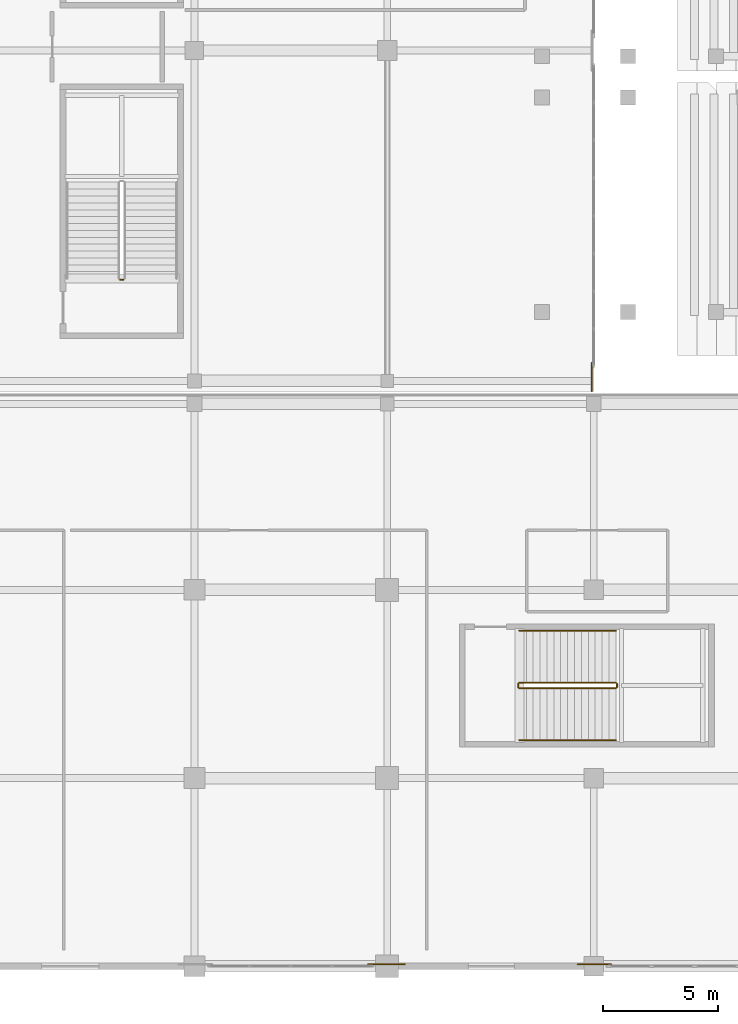
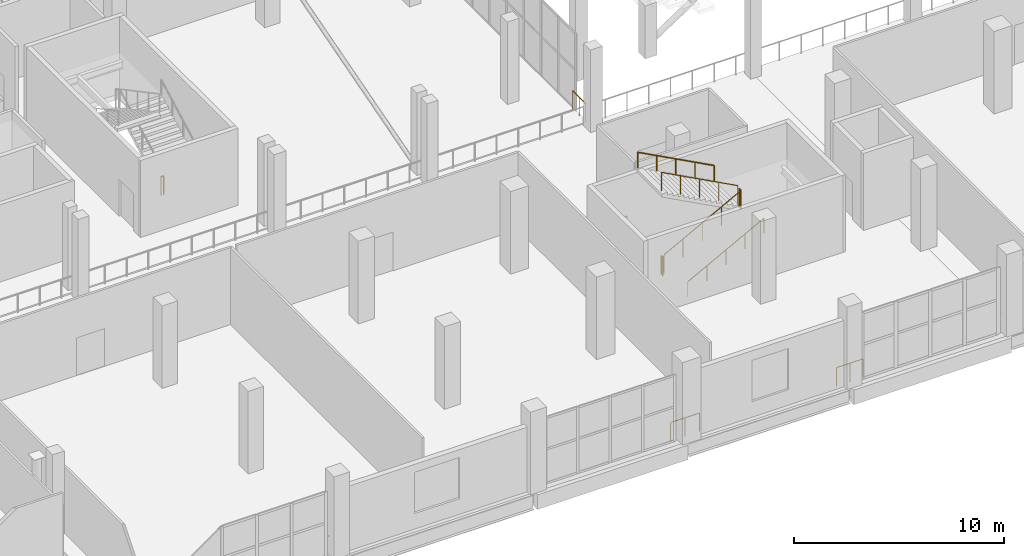
# One storey, part 112 of 142: 10 railings.
"""IFC4 building model written with IfcOpenShell, lengths in metres."""

from ifc_helpers import new_model, si_unit, direction, frame, origin, origin_2d, place, context, subcontext, project, spatial, circle, extrude, material, type_object, element, save


model = new_model("IFC4")

# Units and contexts
model_context = context("Model", 3, precision=1e-05, world=origin(), true_north=direction((0.0, 1.0)))
body_context = subcontext(model_context, "Body", "Model", "MODEL_VIEW")
ifc_project = project(units=[si_unit("LENGTHUNIT", "METRE"), si_unit("AREAUNIT", "SQUARE_METRE"), si_unit("VOLUMEUNIT", "CUBIC_METRE"), si_unit("PLANEANGLEUNIT", "RADIAN"), si_unit("MASSUNIT", "GRAM", prefix="KILO")], contexts=[model_context])

# Site, building, storey
site_placement = place(None, origin())
site = spatial("IfcSite", under=ifc_project, at=site_placement, CompositionType="ELEMENT")
building_placement = place(site_placement, origin())
building = spatial("IfcBuilding", under=site, at=building_placement, Name="Koshinbarg Plaza Stadium", CompositionType="ELEMENT")
storey_placement = place(building_placement, frame((0.0, 0.0, 10.199951171875)))
storey = spatial("IfcBuildingStorey", under=building, at=storey_placement, Name="L02", CompositionType="ELEMENT", Elevation=10.199951171875)

# Railings
ifc_material_1 = material(Name="Toughened laminated glass and stainless steel sightline balustrade", Category="steel")
railing_type_1 = type_object("IfcRailingType", Name="RL-BOWL-1100", PredefinedType="BALUSTRADE", material=ifc_material_1)
railing_1_placement = place(storey_placement, frame((63.52001953125, 26.289794921875, 0.0)))
element("IfcRailing", 1, at=railing_1_placement, inside=storey, type_object=railing_type_1, Name="L02 deck edge safety balustrade 0116", PredefinedType="BALUSTRADE", context=body_context, shape_type="SweptSolid", body=[
    extrude(circle(Radius=0.02392578125, at=origin_2d()), frame((0.0, 0.0, 1.076171875), z_axis=(0.0, -1.0, 0.0), x_axis=(1.0, 0.0, 0.0)), (0.0, 0.0, 1.0), 1.244873046875),
    extrude(circle(Radius=0.02099609375, at=origin_2d()), origin(), (0.0, 0.0, 1.0), 1.052001953125),
    extrude(circle(Radius=0.02099609375, at=origin_2d()), frame((0.0, -0.62255859375, 0.0)), (0.0, 0.0, 1.0), 1.052001953125),
    extrude(circle(Radius=0.02099609375, at=origin_2d()), frame((0.0, -1.244873046875, 0.0)), (0.0, 0.0, 1.0), 1.052001953125),
])
railing_2_placement = place(storey_placement, frame((64.357666015625, 0.080078125, 0.0)))
element("IfcRailing", 2, at=railing_2_placement, inside=storey, type_object=railing_type_1, Name="L02 deck edge safety balustrade 0180", PredefinedType="BALUSTRADE", context=body_context, shape_type="SweptSolid", body=[
    extrude(circle(Radius=0.02392578125, at=origin_2d()), frame((0.0, 0.0, 1.076171875), z_axis=(-1.0, 0.0, 0.0), x_axis=(0.0, -1.0, 0.0)), (0.0, 0.0, 1.0), 1.448974609375),
    extrude(circle(Radius=0.02099609375, at=origin_2d()), origin(), (0.0, 0.0, 1.0), 1.052001953125),
    extrude(circle(Radius=0.02099609375, at=origin_2d()), frame((-0.724609375, 0.0, 0.0)), (0.0, 0.0, 1.0), 1.052001953125),
    extrude(circle(Radius=0.02099609375, at=origin_2d()), frame((-1.448974609375, 0.0, 0.0)), (0.0, 0.0, 1.0), 1.052001953125),
])
railing_3_placement = place(storey_placement, frame((55.3662109375, 0.080078125, 0.0)))
element("IfcRailing", 3, at=railing_3_placement, inside=storey, type_object=railing_type_1, Name="L02 deck edge safety balustrade 0181", PredefinedType="BALUSTRADE", context=body_context, shape_type="SweptSolid", body=[
    extrude(circle(Radius=0.02392578125, at=origin_2d()), frame((0.0, 0.0, 1.076171875), z_axis=(-1.0, 0.0, 0.0), x_axis=(0.0, -1.0, 0.0)), (0.0, 0.0, 1.0), 1.59912109375),
    extrude(circle(Radius=0.02099609375, at=origin_2d()), origin(), (0.0, 0.0, 1.0), 1.052001953125),
    extrude(circle(Radius=0.02099609375, at=origin_2d()), frame((-0.799560546875, 0.0, 0.0)), (0.0, 0.0, 1.0), 1.052001953125),
    extrude(circle(Radius=0.02099609375, at=origin_2d()), frame((-1.59912109375, 0.0, 0.0)), (0.0, 0.0, 1.0), 1.052001953125),
])
ifc_material_2 = material(Name="Galvanized painted steel guardrail", Category="steel")
railing_type_2 = type_object("IfcRailingType", Name="RL-GUARD-1100", PredefinedType="GUARDRAIL", material=ifc_material_2)
railing_4_placement = place(storey_placement, frame((60.360107421875, 12.110107421875, 0.16015625)))
element("IfcRailing", 4, at=railing_4_placement, inside=storey, type_object=railing_type_2, Name="L02 C13 stair guard 1", PredefinedType="GUARDRAIL", context=body_context, shape_type="SweptSolid", body=[
    extrude(circle(Radius=0.02392578125, at=origin_2d()), frame((0.0, 0.0, 1.076171875), z_axis=(0.882351521365, 0.0, 0.470590897432), x_axis=(0.0, 1.0, 0.0)), (0.0, 0.0, 1.0), 4.760009765625),
    extrude(circle(Radius=0.02099609375, at=origin_2d()), origin(), (0.0, 0.0, 1.0), 1.052001953125),
    extrude(circle(Radius=0.02099609375, at=origin_2d()), frame((1.050048828125, 0.0, 0.56005859375)), (0.0, 0.0, 1.0), 1.052001953125),
    extrude(circle(Radius=0.02099609375, at=origin_2d()), frame((2.10009765625, 0.0, 1.1201171875)), (0.0, 0.0, 1.0), 1.052001953125),
    extrude(circle(Radius=0.02099609375, at=origin_2d()), frame((3.14990234375, 0.0, 1.679931640625)), (0.0, 0.0, 1.0), 1.052001953125),
    extrude(circle(Radius=0.02099609375, at=origin_2d()), frame((4.199951171875, 0.0, 2.239990234375)), (0.0, 0.0, 1.0), 1.052001953125),
])
railing_5_placement = place(storey_placement, frame((64.610107421875, 12.159912109375, 2.400146484375)))
element("IfcRailing", 5, at=railing_5_placement, inside=storey, type_object=railing_type_2, Name="L02 C13 stair guard 2", PredefinedType="GUARDRAIL", context=body_context, shape_type="SweptSolid", body=[
    extrude(circle(Radius=0.02392578125, at=origin_2d()), frame((0.0, 0.0, 1.076171875), z_axis=(0.0, 1.0, 0.0), x_axis=(-1.0, 0.0, 0.0)), (0.0, 0.0, 1.0), 0.150146484375),
    extrude(circle(Radius=0.02099609375, at=origin_2d()), origin(), (0.0, 0.0, 1.0), 1.052001953125),
    extrude(circle(Radius=0.02099609375, at=origin_2d()), frame((0.0, 0.150146484375, 0.0)), (0.0, 0.0, 1.0), 1.052001953125),
])
railing_6_placement = place(storey_placement, frame((64.56005859375, 12.360107421875, 2.56005859375)))
element("IfcRailing", 6, at=railing_6_placement, inside=storey, type_object=railing_type_2, Name="L02 C13 stair guard 3", PredefinedType="GUARDRAIL", context=body_context, shape_type="SweptSolid", body=[
    extrude(circle(Radius=0.02392578125, at=origin_2d()), frame((0.0, 0.0, 1.076171875), z_axis=(-0.882351521365, 0.0, 0.470590897432), x_axis=(0.0, -1.0, 0.0)), (0.0, 0.0, 1.0), 4.760009765625),
    extrude(circle(Radius=0.02099609375, at=origin_2d()), origin(), (0.0, 0.0, 1.0), 1.052001953125),
    extrude(circle(Radius=0.02099609375, at=origin_2d()), frame((-1.050048828125, 0.0, 0.56005859375)), (0.0, 0.0, 1.0), 1.052001953125),
    extrude(circle(Radius=0.02099609375, at=origin_2d()), frame((-2.10009765625, 0.0, 1.1201171875)), (0.0, 0.0, 1.0), 1.052001953125),
    extrude(circle(Radius=0.02099609375, at=origin_2d()), frame((-3.14990234375, 0.0, 1.679931640625)), (0.0, 0.0, 1.0), 1.052001953125),
    extrude(circle(Radius=0.02099609375, at=origin_2d()), frame((-4.199951171875, 0.0, 2.239990234375)), (0.0, 0.0, 1.0), 1.052001953125),
])
railing_7_placement = place(storey_placement, frame((60.31005859375, 12.159912109375, 0.0)))
element("IfcRailing", 7, at=railing_7_placement, inside=storey, type_object=railing_type_2, Name="L02 C13 stair guard 4", PredefinedType="GUARDRAIL", context=body_context, shape_type="SweptSolid", body=[
    extrude(circle(Radius=0.02392578125, at=origin_2d()), frame((0.0, 0.0, 1.076171875), z_axis=(0.0, 1.0, 0.0), x_axis=(-1.0, 0.0, 0.0)), (0.0, 0.0, 1.0), 0.150146484375),
    extrude(circle(Radius=0.02099609375, at=origin_2d()), origin(), (0.0, 0.0, 1.0), 1.052001953125),
    extrude(circle(Radius=0.02099609375, at=origin_2d()), frame((0.0, 0.150146484375, 0.0)), (0.0, 0.0, 1.0), 1.052001953125),
])
railing_8_placement = place(storey_placement, frame((43.110107421875, 29.909912109375, 0.0)))
element("IfcRailing", 8, at=railing_8_placement, inside=storey, type_object=railing_type_2, Name="L02 VX01 stair guard 4", PredefinedType="GUARDRAIL", context=body_context, shape_type="SweptSolid", body=[
    extrude(circle(Radius=0.02392578125, at=origin_2d()), frame((0.0, 0.0, 1.076171875), z_axis=(-1.0, 0.0, 0.0), x_axis=(0.0, -1.0, 0.0)), (0.0, 0.0, 1.0), 0.150146484375),
    extrude(circle(Radius=0.02099609375, at=origin_2d()), origin(), (0.0, 0.0, 1.0), 1.052001953125),
    extrude(circle(Radius=0.02099609375, at=origin_2d()), frame((-0.150146484375, 0.0, 0.0)), (0.0, 0.0, 1.0), 1.052001953125),
])
ifc_material_3 = material(Name="Brushed stainless steel handrail", Category="steel")
railing_type_3 = type_object("IfcRailingType", Name="RL-HAND-900", PredefinedType="HANDRAIL", material=ifc_material_3)
railing_9_placement = place(storey_placement, frame((60.360107421875, 9.85009765625, 0.16015625)))
element("IfcRailing", 9, at=railing_9_placement, inside=storey, type_object=railing_type_3, Name="L02 C13 stair handrail 1", PredefinedType="HANDRAIL", context=body_context, shape_type="SweptSolid", body=[
    extrude(circle(Radius=0.02392578125, at=origin_2d()), frame((0.0, 0.0, 0.8759765625), z_axis=(0.882351521365, 0.0, 0.470590897432), x_axis=(0.0, 1.0, 0.0)), (0.0, 0.0, 1.0), 4.760009765625),
    extrude(circle(Radius=0.02099609375, at=origin_2d()), origin(), (0.0, 0.0, 1.0), 0.851806640625),
    extrude(circle(Radius=0.02099609375, at=origin_2d()), frame((1.050048828125, 0.0, 0.56005859375)), (0.0, 0.0, 1.0), 0.851806640625),
    extrude(circle(Radius=0.02099609375, at=origin_2d()), frame((2.10009765625, 0.0, 1.1201171875)), (0.0, 0.0, 1.0), 0.851806640625),
    extrude(circle(Radius=0.02099609375, at=origin_2d()), frame((3.14990234375, 0.0, 1.679931640625)), (0.0, 0.0, 1.0), 0.851806640625),
    extrude(circle(Radius=0.02099609375, at=origin_2d()), frame((4.199951171875, 0.0, 2.239990234375)), (0.0, 0.0, 1.0), 0.851806640625),
])
railing_10_placement = place(storey_placement, frame((64.56005859375, 14.6201171875, 2.56005859375)))
element("IfcRailing", 10, at=railing_10_placement, inside=storey, type_object=railing_type_3, Name="L02 C13 stair handrail 2", PredefinedType="HANDRAIL", context=body_context, shape_type="SweptSolid", body=[
    extrude(circle(Radius=0.02392578125, at=origin_2d()), frame((0.0, 0.0, 0.8759765625), z_axis=(-0.882351521365, 0.0, 0.470590897432), x_axis=(0.0, -1.0, 0.0)), (0.0, 0.0, 1.0), 4.760009765625),
    extrude(circle(Radius=0.02099609375, at=origin_2d()), origin(), (0.0, 0.0, 1.0), 0.851806640625),
    extrude(circle(Radius=0.02099609375, at=origin_2d()), frame((-1.050048828125, 0.0, 0.56005859375)), (0.0, 0.0, 1.0), 0.851806640625),
    extrude(circle(Radius=0.02099609375, at=origin_2d()), frame((-2.10009765625, 0.0, 1.1201171875)), (0.0, 0.0, 1.0), 0.851806640625),
    extrude(circle(Radius=0.02099609375, at=origin_2d()), frame((-3.14990234375, 0.0, 1.679931640625)), (0.0, 0.0, 1.0), 0.851806640625),
    extrude(circle(Radius=0.02099609375, at=origin_2d()), frame((-4.199951171875, 0.0, 2.239990234375)), (0.0, 0.0, 1.0), 0.851806640625),
])

save(model, "model.ifc")
